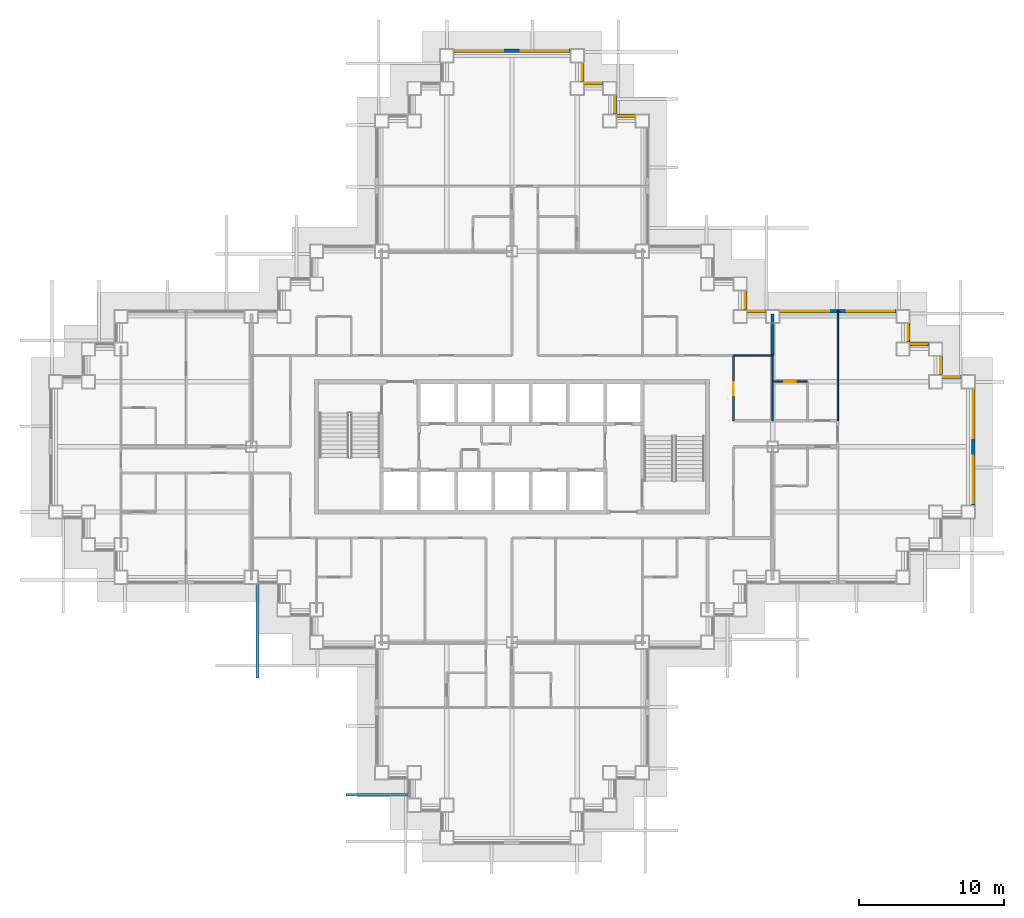
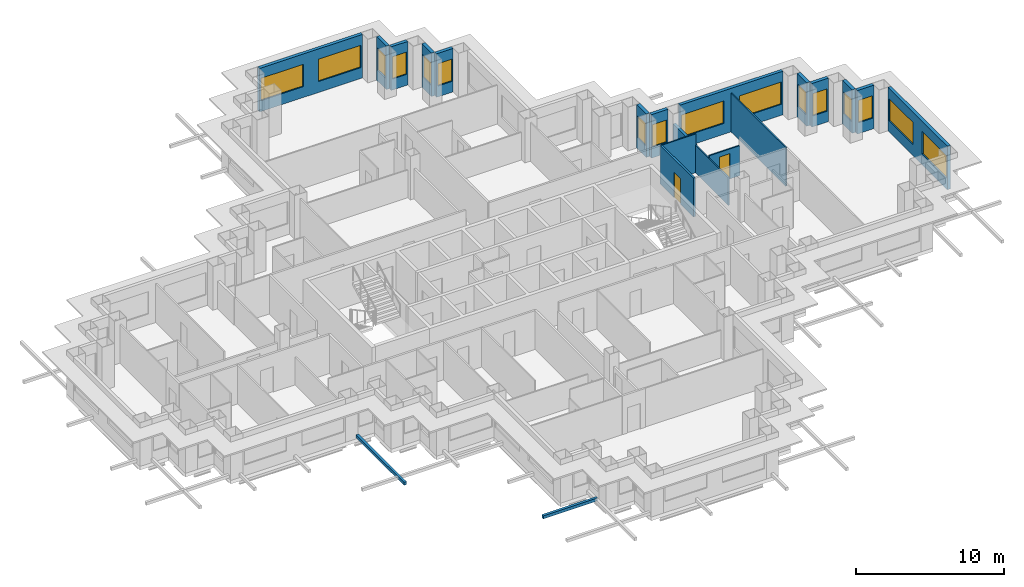
# One storey, part 9 of 15: 19 walls, 16 windows, 2 discrete accessories, 2 doors, 18 openings.
"""IFC4 building model written with IfcOpenShell, lengths in metres."""

from ifc_helpers import new_model, si_unit, direction, frame, frame_2d, origin, origin_2d, place, context, subcontext, project, spatial, rectangle, extrude, material, layer, layer_set, type_object, element, fill, save


model = new_model("IFC4")

# Units and contexts
model_context = context("Model", 3, precision=1e-05, world=origin(), true_north=direction((0.0, 1.0)))
body_context = subcontext(model_context, "Body", "Model", "MODEL_VIEW")
ifc_project = project(units=[si_unit("LENGTHUNIT", "METRE"), si_unit("AREAUNIT", "SQUARE_METRE"), si_unit("VOLUMEUNIT", "CUBIC_METRE"), si_unit("PLANEANGLEUNIT", "RADIAN"), si_unit("MASSUNIT", "GRAM", prefix="KILO")], contexts=[model_context])

# Site, building, storey
site_placement = place(None, origin())
site = spatial("IfcSite", under=ifc_project, at=site_placement, CompositionType="ELEMENT")
building_placement = place(site_placement, origin())
building = spatial("IfcBuilding", under=site, at=building_placement, Name="Caravel Reach Hotel and Residences", CompositionType="ELEMENT")
storey_placement = place(building_placement, frame((0.0, 0.0, 92.39990234375)))
storey = spatial("IfcBuildingStorey", under=building, at=storey_placement, Name="L22", CompositionType="ELEMENT", Elevation=92.39990234375)

# Wall, opening, door
ifc_material_1 = material(Name="Gypsum board on steel stud", Category="steel")
ifc_layer_1 = layer(ifc_material_1, 0.10009765625)
ifc_layer_set_1 = layer_set([ifc_layer_1], Name="Bathroom pod wall 100 mm")
wall_type_1 = type_object("IfcWallType", Name="Bathroom pod wall 100 mm", PredefinedType="PARTITIONING", material=ifc_layer_set_1)
wall_1_placement = place(storey_placement, frame((49.5, 31.5, 0.0), z_axis=(0.0, 0.0, 1.0), x_axis=(1.0, 0.0, 0.0)))
wall_1 = element("IfcWall", 1, at=wall_1_placement, inside=storey, type_object=wall_type_1, Name="L22 wall w078", PredefinedType="PARTITIONING", context=body_context, shape_type="SweptSolid", body=[
    extrude(rectangle(XDim=2.39990234375, YDim=0.10009765625, at=frame_2d((1.199951171875, 0.0))), origin(), (0.0, 0.0, 1.0), 2.47998046875),
])
opening_1_placement = place(wall_1_placement, frame((0.800048828125, 0.0, 0.0)))
opening_1 = element("IfcOpeningElement", 2, at=opening_1_placement, cuts=wall_1, Name="Opening D22-025", PredefinedType="OPENING", context=body_context, shape_type="SweptSolid", body=[
    extrude(rectangle(XDim=0.800048828125, YDim=2.10009765625, at=frame_2d((0.39990234375, 1.050048828125))), frame((0.0, 0.06005859375, 0.0), z_axis=(0.0, -1.0, 0.0), x_axis=(1.0, 0.0, 0.0)), (0.0, 0.0, 1.0), 0.1201171875),
])
ifc_material_2 = material(Name="Timber and steel door leaf", Category="steel")
door_type_1 = type_object("IfcDoorType", Name="Bathroom door 800 x 2100", OperationType="SINGLE_SWING_LEFT", PredefinedType="DOOR", material=ifc_material_2)
door_1_placement = place(opening_1_placement, origin())
door_1 = element("IfcDoor", 3, at=door_1_placement, inside=storey, type_object=door_type_1, Name="door D22-025", OperationType="SINGLE_SWING_LEFT", OverallHeight=2.10009765625, OverallWidth=0.800048828125, PredefinedType="DOOR", context=body_context, shape_type="SweptSolid", body=[
    extrude(rectangle(XDim=0.800048828125, YDim=2.10009765625, at=frame_2d((0.39990234375, 1.050048828125))), frame((0.0, 0.02490234375, 0.0), z_axis=(0.0, -1.0, 0.0), x_axis=(1.0, 0.0, 0.0)), (0.0, 0.0, 1.0), 0.050048828125),
])
fill(opening_1, door_1)

ifc_material_3 = material(Name="Gypsum board on steel stud, fire-rated", Category="steel")
ifc_layer_2 = layer(ifc_material_3, 0.14990234375)
ifc_layer_set_2 = layer_set([ifc_layer_2], Name="Corridor wall 150 mm EI 60")
wall_type_2 = type_object("IfcWallType", Name="Corridor wall 150 mm EI 60", PredefinedType="PARTITIONING", material=ifc_layer_set_2)
wall_2_placement = place(storey_placement, frame((46.800048828125, 28.800048828125, 0.0), z_axis=(0.0, 0.0, 1.0), x_axis=(0.0, 1.0, 0.0)))
wall_2 = element("IfcWall", 4, at=wall_2_placement, inside=storey, type_object=wall_type_2, Name="L22 wall w035", PredefinedType="PARTITIONING", context=body_context, shape_type="SweptSolid", body=[
    extrude(rectangle(XDim=4.5, YDim=0.14990234375, at=frame_2d((2.25, 0.0))), origin(), (0.0, 0.0, 1.0), 3.2001953125),
])
opening_2_placement = place(wall_2_placement, frame((1.75, 0.0, 0.0)))
opening_2 = element("IfcOpeningElement", 5, at=opening_2_placement, cuts=wall_2, Name="Opening D22-057", PredefinedType="OPENING", context=body_context, shape_type="SweptSolid", body=[
    extrude(rectangle(XDim=0.89990234375, YDim=2.10009765625, at=frame_2d((0.449951171875, 1.050048828125))), frame((0.0, 0.0849609375, 0.0), z_axis=(0.0, -1.0, 0.0), x_axis=(1.0, 0.0, 0.0)), (0.0, 0.0, 1.0), 0.169921875),
])
ifc_material_4 = material(Name="Timber and steel door leaf", Category="steel")
door_type_2 = type_object("IfcDoorType", Name="Door 900 x 2100 timber", OperationType="SINGLE_SWING_LEFT", PredefinedType="DOOR", material=ifc_material_4)
door_2_placement = place(opening_2_placement, origin())
door_2 = element("IfcDoor", 6, at=door_2_placement, inside=storey, type_object=door_type_2, Name="door D22-057", OperationType="SINGLE_SWING_LEFT", OverallHeight=2.10009765625, OverallWidth=0.89990234375, PredefinedType="DOOR", context=body_context, shape_type="SweptSolid", body=[
    extrude(rectangle(XDim=0.89990234375, YDim=2.10009765625, at=frame_2d((0.449951171875, 1.050048828125))), frame((0.0, 0.02490234375, 0.0), z_axis=(0.0, -1.0, 0.0), x_axis=(1.0, 0.0, 0.0)), (0.0, 0.0, 1.0), 0.050048828125),
])
fill(opening_2, door_2)

# Wall, openings, windows
ifc_material_5 = material(Name="Insulated rainscreen wall, aluminium cladding", Category="aluminium")
ifc_layer_3 = layer(ifc_material_5, 0.25)
ifc_layer_set_3 = layer_set([ifc_layer_3], Name="EW1 Tower rainscreen wall")
wall_type_3 = type_object("IfcWallType", Name="EW1 Tower rainscreen wall", PredefinedType="SOLIDWALL", material=ifc_layer_set_3)
wall_3_placement = place(storey_placement, frame((63.35009765625, 22.97509765625, 0.0), z_axis=(0.0, 0.0, 1.0), x_axis=(0.0, 1.0, 0.0)))
wall_3 = element("IfcWall", 7, at=wall_3_placement, inside=storey, type_object=wall_type_3, Name="External wall L22 E20.1", PredefinedType="SOLIDWALL", context=body_context, shape_type="SweptSolid", body=[
    extrude(rectangle(XDim=8.0498046875, YDim=0.25, at=frame_2d((4.02490234375, 0.0))), origin(), (0.0, 0.0, 1.0), 3.60009765625),
])
opening_3_placement = place(wall_3_placement, frame((0.125, 0.0, 0.89990234375)))
opening_3 = element("IfcOpeningElement", 8, at=opening_3_placement, cuts=wall_3, Name="Opening WN7", PredefinedType="OPENING", context=body_context, shape_type="SweptSolid", body=[
    extrude(rectangle(XDim=3.300048828125, YDim=1.85009765625, at=frame_2d((1.64990234375, 0.925048828125))), frame((0.0, 0.135009765625, 0.0), z_axis=(0.0, -1.0, 0.0), x_axis=(1.0, 0.0, 0.0)), (0.0, 0.0, 1.0), 0.27001953125),
])
opening_4_placement = place(wall_3_placement, frame((4.625, 0.0, 0.89990234375)))
opening_4 = element("IfcOpeningElement", 9, at=opening_4_placement, cuts=wall_3, Name="Opening WN7", PredefinedType="OPENING", context=body_context, shape_type="SweptSolid", body=[
    extrude(rectangle(XDim=3.300048828125, YDim=1.85009765625, at=frame_2d((1.64990234375, 0.925048828125))), frame((0.0, 0.135009765625, 0.0), z_axis=(0.0, -1.0, 0.0), x_axis=(1.0, 0.0, 0.0)), (0.0, 0.0, 1.0), 0.27001953125),
])
ifc_material_6 = material(Name="Dark low-e glazing in black aluminium frame", Category="aluminium")
window_type_1 = type_object("IfcWindowType", Name="Hotel guest room window 3300 x 1850", PartitioningType="SINGLE_PANEL", PredefinedType="WINDOW", material=ifc_material_6)
window_1_placement = place(opening_3_placement, origin())
window_1 = element("IfcWindow", 10, at=window_1_placement, inside=storey, type_object=window_type_1, Name="Window L22 E20.1.1", OverallHeight=1.85009765625, OverallWidth=3.300048828125, PartitioningType="SINGLE_PANEL", PredefinedType="WINDOW", context=body_context, shape_type="SweptSolid", body=[
    extrude(rectangle(XDim=3.300048828125, YDim=1.85009765625, at=frame_2d((1.64990234375, 0.925048828125))), frame((0.0, 0.030029296875, 0.0), z_axis=(0.0, -1.0, 0.0), x_axis=(1.0, 0.0, 0.0)), (0.0, 0.0, 1.0), 0.06005859375),
])
fill(opening_3, window_1)
window_2_placement = place(opening_4_placement, origin())
window_2 = element("IfcWindow", 11, at=window_2_placement, inside=storey, type_object=window_type_1, Name="Window L22 E20.1.2", OverallHeight=1.85009765625, OverallWidth=3.300048828125, PartitioningType="SINGLE_PANEL", PredefinedType="WINDOW", context=body_context, shape_type="SweptSolid", body=[
    extrude(rectangle(XDim=3.300048828125, YDim=1.85009765625, at=frame_2d((1.64990234375, 0.925048828125))), frame((0.0, 0.030029296875, 0.0), z_axis=(0.0, -1.0, 0.0), x_axis=(1.0, 0.0, 0.0)), (0.0, 0.0, 1.0), 0.06005859375),
])
fill(opening_4, window_2)

# Wall, opening, window
wall_4_placement = place(storey_placement, frame((62.52490234375, 31.85009765625, 0.0), z_axis=(0.0, 0.0, 1.0), x_axis=(-1.0, 0.0, 0.0)))
wall_4 = element("IfcWall", 12, at=wall_4_placement, inside=storey, type_object=wall_type_3, Name="External wall L22 N21.1", PredefinedType="SOLIDWALL", context=body_context, shape_type="SweptSolid", body=[
    extrude(rectangle(XDim=1.2998046875, YDim=0.25, at=frame_2d((0.64990234375, 0.0))), origin(), (0.0, 0.0, 1.0), 3.60009765625),
])
opening_5_placement = place(wall_4_placement, frame((0.10009765625, 0.0, 0.89990234375)))
opening_5 = element("IfcOpeningElement", 13, at=opening_5_placement, cuts=wall_4, Name="Opening WN6", PredefinedType="OPENING", context=body_context, shape_type="SweptSolid", body=[
    extrude(rectangle(XDim=1.10009765625, YDim=1.85009765625, at=frame_2d((0.550048828125, 0.925048828125))), frame((0.0, 0.135009765625, 0.0), z_axis=(0.0, -1.0, 0.0), x_axis=(1.0, 0.0, 0.0)), (0.0, 0.0, 1.0), 0.27001953125),
])
ifc_material_7 = material(Name="Dark low-e glazing in black aluminium frame", Category="aluminium")
window_type_2 = type_object("IfcWindowType", Name="Hotel suite corner window 1100 x 1850", PartitioningType="SINGLE_PANEL", PredefinedType="WINDOW", material=ifc_material_7)
window_3_placement = place(opening_5_placement, origin())
window_3 = element("IfcWindow", 14, at=window_3_placement, inside=storey, type_object=window_type_2, Name="Window L22 N21.1.1", OverallHeight=1.85009765625, OverallWidth=1.10009765625, PartitioningType="SINGLE_PANEL", PredefinedType="WINDOW", context=body_context, shape_type="SweptSolid", body=[
    extrude(rectangle(XDim=1.10009765625, YDim=1.85009765625, at=frame_2d((0.550048828125, 0.925048828125))), frame((0.0, 0.030029296875, 0.0), z_axis=(0.0, -1.0, 0.0), x_axis=(1.0, 0.0, 0.0)), (0.0, 0.0, 1.0), 0.06005859375),
])
fill(opening_5, window_3)

wall_5_placement = place(storey_placement, frame((61.10009765625, 31.97509765625, 0.0), z_axis=(0.0, 0.0, 1.0), x_axis=(0.0, 1.0, 0.0)))
wall_5 = element("IfcWall", 15, at=wall_5_placement, inside=storey, type_object=wall_type_3, Name="External wall L22 E22.1", PredefinedType="SOLIDWALL", context=body_context, shape_type="SweptSolid", body=[
    extrude(rectangle(XDim=1.2998046875, YDim=0.25, at=frame_2d((0.64990234375, 0.0))), origin(), (0.0, 0.0, 1.0), 3.60009765625),
])
opening_6_placement = place(wall_5_placement, frame((0.10009765625, 0.0, 0.89990234375)))
opening_6 = element("IfcOpeningElement", 16, at=opening_6_placement, cuts=wall_5, Name="Opening WN6", PredefinedType="OPENING", context=body_context, shape_type="SweptSolid", body=[
    extrude(rectangle(XDim=1.10009765625, YDim=1.85009765625, at=frame_2d((0.550048828125, 0.925048828125))), frame((0.0, 0.135009765625, 0.0), z_axis=(0.0, -1.0, 0.0), x_axis=(1.0, 0.0, 0.0)), (0.0, 0.0, 1.0), 0.27001953125),
])
window_4_placement = place(opening_6_placement, origin())
window_4 = element("IfcWindow", 17, at=window_4_placement, inside=storey, type_object=window_type_2, Name="Window L22 E22.1.1", OverallHeight=1.85009765625, OverallWidth=1.10009765625, PartitioningType="SINGLE_PANEL", PredefinedType="WINDOW", context=body_context, shape_type="SweptSolid", body=[
    extrude(rectangle(XDim=1.10009765625, YDim=1.85009765625, at=frame_2d((0.550048828125, 0.925048828125))), frame((0.0, 0.030029296875, 0.0), z_axis=(0.0, -1.0, 0.0), x_axis=(1.0, 0.0, 0.0)), (0.0, 0.0, 1.0), 0.06005859375),
])
fill(opening_6, window_4)

wall_6_placement = place(storey_placement, frame((60.27490234375, 34.10009765625, 0.0), z_axis=(0.0, 0.0, 1.0), x_axis=(-1.0, 0.0, 0.0)))
wall_6 = element("IfcWall", 18, at=wall_6_placement, inside=storey, type_object=wall_type_3, Name="External wall L22 N23.1", PredefinedType="SOLIDWALL", context=body_context, shape_type="SweptSolid", body=[
    extrude(rectangle(XDim=1.2998046875, YDim=0.25, at=frame_2d((0.64990234375, 0.0))), origin(), (0.0, 0.0, 1.0), 3.60009765625),
])
opening_7_placement = place(wall_6_placement, frame((0.10009765625, 0.0, 0.89990234375)))
opening_7 = element("IfcOpeningElement", 19, at=opening_7_placement, cuts=wall_6, Name="Opening WN6", PredefinedType="OPENING", context=body_context, shape_type="SweptSolid", body=[
    extrude(rectangle(XDim=1.10009765625, YDim=1.85009765625, at=frame_2d((0.550048828125, 0.925048828125))), frame((0.0, 0.135009765625, 0.0), z_axis=(0.0, -1.0, 0.0), x_axis=(1.0, 0.0, 0.0)), (0.0, 0.0, 1.0), 0.27001953125),
])
window_5_placement = place(opening_7_placement, origin())
window_5 = element("IfcWindow", 20, at=window_5_placement, inside=storey, type_object=window_type_2, Name="Window L22 N23.1.1", OverallHeight=1.85009765625, OverallWidth=1.10009765625, PartitioningType="SINGLE_PANEL", PredefinedType="WINDOW", context=body_context, shape_type="SweptSolid", body=[
    extrude(rectangle(XDim=1.10009765625, YDim=1.85009765625, at=frame_2d((0.550048828125, 0.925048828125))), frame((0.0, 0.030029296875, 0.0), z_axis=(0.0, -1.0, 0.0), x_axis=(1.0, 0.0, 0.0)), (0.0, 0.0, 1.0), 0.06005859375),
])
fill(opening_7, window_5)

wall_7_placement = place(storey_placement, frame((58.85009765625, 34.22509765625, 0.0), z_axis=(0.0, 0.0, 1.0), x_axis=(0.0, 1.0, 0.0)))
wall_7 = element("IfcWall", 21, at=wall_7_placement, inside=storey, type_object=wall_type_3, Name="External wall L22 E24.1", PredefinedType="SOLIDWALL", context=body_context, shape_type="SweptSolid", body=[
    extrude(rectangle(XDim=1.2998046875, YDim=0.25, at=frame_2d((0.64990234375, 0.0))), origin(), (0.0, 0.0, 1.0), 3.60009765625),
])
opening_8_placement = place(wall_7_placement, frame((0.10009765625, 0.0, 0.89990234375)))
opening_8 = element("IfcOpeningElement", 22, at=opening_8_placement, cuts=wall_7, Name="Opening WN6", PredefinedType="OPENING", context=body_context, shape_type="SweptSolid", body=[
    extrude(rectangle(XDim=1.10009765625, YDim=1.85009765625, at=frame_2d((0.550048828125, 0.925048828125))), frame((0.0, 0.135009765625, 0.0), z_axis=(0.0, -1.0, 0.0), x_axis=(1.0, 0.0, 0.0)), (0.0, 0.0, 1.0), 0.27001953125),
])
window_6_placement = place(opening_8_placement, origin())
window_6 = element("IfcWindow", 23, at=window_6_placement, inside=storey, type_object=window_type_2, Name="Window L22 E24.1.1", OverallHeight=1.85009765625, OverallWidth=1.10009765625, PartitioningType="SINGLE_PANEL", PredefinedType="WINDOW", context=body_context, shape_type="SweptSolid", body=[
    extrude(rectangle(XDim=1.10009765625, YDim=1.85009765625, at=frame_2d((0.550048828125, 0.925048828125))), frame((0.0, 0.030029296875, 0.0), z_axis=(0.0, -1.0, 0.0), x_axis=(1.0, 0.0, 0.0)), (0.0, 0.0, 1.0), 0.06005859375),
])
fill(opening_8, window_6)

# Wall, openings, windows
wall_8_placement = place(storey_placement, frame((58.02490234375, 36.35009765625, 0.0), z_axis=(0.0, 0.0, 1.0), x_axis=(-1.0, 0.0, 0.0)))
wall_8 = element("IfcWall", 24, at=wall_8_placement, inside=storey, type_object=wall_type_3, Name="External wall L22 N25.1", PredefinedType="SOLIDWALL", context=body_context, shape_type="SweptSolid", body=[
    extrude(rectangle(XDim=8.0498046875, YDim=0.25, at=frame_2d((4.02490234375, 0.0))), origin(), (0.0, 0.0, 1.0), 3.60009765625),
])
opening_9_placement = place(wall_8_placement, frame((0.125, 0.0, 0.89990234375)))
opening_9 = element("IfcOpeningElement", 25, at=opening_9_placement, cuts=wall_8, Name="Opening WN7", PredefinedType="OPENING", context=body_context, shape_type="SweptSolid", body=[
    extrude(rectangle(XDim=3.300048828125, YDim=1.85009765625, at=frame_2d((1.64990234375, 0.925048828125))), frame((0.0, 0.135009765625, 0.0), z_axis=(0.0, -1.0, 0.0), x_axis=(1.0, 0.0, 0.0)), (0.0, 0.0, 1.0), 0.27001953125),
])
opening_10_placement = place(wall_8_placement, frame((4.625, 0.0, 0.89990234375)))
opening_10 = element("IfcOpeningElement", 26, at=opening_10_placement, cuts=wall_8, Name="Opening WN7", PredefinedType="OPENING", context=body_context, shape_type="SweptSolid", body=[
    extrude(rectangle(XDim=3.300048828125, YDim=1.85009765625, at=frame_2d((1.64990234375, 0.925048828125))), frame((0.0, 0.135009765625, 0.0), z_axis=(0.0, -1.0, 0.0), x_axis=(1.0, 0.0, 0.0)), (0.0, 0.0, 1.0), 0.27001953125),
])
window_7_placement = place(opening_9_placement, origin())
window_7 = element("IfcWindow", 27, at=window_7_placement, inside=storey, type_object=window_type_1, Name="Window L22 N25.1.1", OverallHeight=1.85009765625, OverallWidth=3.300048828125, PartitioningType="SINGLE_PANEL", PredefinedType="WINDOW", context=body_context, shape_type="SweptSolid", body=[
    extrude(rectangle(XDim=3.300048828125, YDim=1.85009765625, at=frame_2d((1.64990234375, 0.925048828125))), frame((0.0, 0.030029296875, 0.0), z_axis=(0.0, -1.0, 0.0), x_axis=(1.0, 0.0, 0.0)), (0.0, 0.0, 1.0), 0.06005859375),
])
fill(opening_9, window_7)
window_8_placement = place(opening_10_placement, origin())
window_8 = element("IfcWindow", 28, at=window_8_placement, inside=storey, type_object=window_type_1, Name="Window L22 N25.1.2", OverallHeight=1.85009765625, OverallWidth=3.300048828125, PartitioningType="SINGLE_PANEL", PredefinedType="WINDOW", context=body_context, shape_type="SweptSolid", body=[
    extrude(rectangle(XDim=3.300048828125, YDim=1.85009765625, at=frame_2d((1.64990234375, 0.925048828125))), frame((0.0, 0.030029296875, 0.0), z_axis=(0.0, -1.0, 0.0), x_axis=(1.0, 0.0, 0.0)), (0.0, 0.0, 1.0), 0.06005859375),
])
fill(opening_10, window_8)

# Wall, opening, window
wall_9_placement = place(storey_placement, frame((49.02490234375, 36.35009765625, 0.0), z_axis=(0.0, 0.0, 1.0), x_axis=(-1.0, 0.0, 0.0)))
wall_9 = element("IfcWall", 29, at=wall_9_placement, inside=storey, type_object=wall_type_3, Name="External wall L22 N25.2", PredefinedType="SOLIDWALL", context=body_context, shape_type="SweptSolid", body=[
    extrude(rectangle(XDim=1.2998046875, YDim=0.25, at=frame_2d((0.64990234375, 0.0))), origin(), (0.0, 0.0, 1.0), 3.60009765625),
])
opening_11_placement = place(wall_9_placement, frame((0.10009765625, 0.0, 0.89990234375)))
opening_11 = element("IfcOpeningElement", 30, at=opening_11_placement, cuts=wall_9, Name="Opening WN6", PredefinedType="OPENING", context=body_context, shape_type="SweptSolid", body=[
    extrude(rectangle(XDim=1.10009765625, YDim=1.85009765625, at=frame_2d((0.550048828125, 0.925048828125))), frame((0.0, 0.135009765625, 0.0), z_axis=(0.0, -1.0, 0.0), x_axis=(1.0, 0.0, 0.0)), (0.0, 0.0, 1.0), 0.27001953125),
])
window_9_placement = place(opening_11_placement, origin())
window_9 = element("IfcWindow", 31, at=window_9_placement, inside=storey, type_object=window_type_2, Name="Window L22 N25.2.1", OverallHeight=1.85009765625, OverallWidth=1.10009765625, PartitioningType="SINGLE_PANEL", PredefinedType="WINDOW", context=body_context, shape_type="SweptSolid", body=[
    extrude(rectangle(XDim=1.10009765625, YDim=1.85009765625, at=frame_2d((0.550048828125, 0.925048828125))), frame((0.0, 0.030029296875, 0.0), z_axis=(0.0, -1.0, 0.0), x_axis=(1.0, 0.0, 0.0)), (0.0, 0.0, 1.0), 0.06005859375),
])
fill(opening_11, window_9)

wall_10_placement = place(storey_placement, frame((47.60009765625, 36.47509765625, 0.0), z_axis=(0.0, 0.0, 1.0), x_axis=(0.0, 1.0, 0.0)))
wall_10 = element("IfcWall", 32, at=wall_10_placement, inside=storey, type_object=wall_type_3, Name="External wall L22 E26.1", PredefinedType="SOLIDWALL", context=body_context, shape_type="SweptSolid", body=[
    extrude(rectangle(XDim=1.2998046875, YDim=0.25, at=frame_2d((0.64990234375, 0.0))), origin(), (0.0, 0.0, 1.0), 3.60009765625),
])
opening_12_placement = place(wall_10_placement, frame((0.10009765625, 0.0, 0.89990234375)))
opening_12 = element("IfcOpeningElement", 33, at=opening_12_placement, cuts=wall_10, Name="Opening WN6", PredefinedType="OPENING", context=body_context, shape_type="SweptSolid", body=[
    extrude(rectangle(XDim=1.10009765625, YDim=1.85009765625, at=frame_2d((0.550048828125, 0.925048828125))), frame((0.0, 0.135009765625, 0.0), z_axis=(0.0, -1.0, 0.0), x_axis=(1.0, 0.0, 0.0)), (0.0, 0.0, 1.0), 0.27001953125),
])
window_10_placement = place(opening_12_placement, origin())
window_10 = element("IfcWindow", 34, at=window_10_placement, inside=storey, type_object=window_type_2, Name="Window L22 E26.1.1", OverallHeight=1.85009765625, OverallWidth=1.10009765625, PartitioningType="SINGLE_PANEL", PredefinedType="WINDOW", context=body_context, shape_type="SweptSolid", body=[
    extrude(rectangle(XDim=1.10009765625, YDim=1.85009765625, at=frame_2d((0.550048828125, 0.925048828125))), frame((0.0, 0.030029296875, 0.0), z_axis=(0.0, -1.0, 0.0), x_axis=(1.0, 0.0, 0.0)), (0.0, 0.0, 1.0), 0.06005859375),
])
fill(opening_12, window_10)

wall_11_placement = place(storey_placement, frame((40.02490234375, 49.85009765625, 0.0), z_axis=(0.0, 0.0, 1.0), x_axis=(-1.0, 0.0, 0.0)))
wall_11 = element("IfcWall", 35, at=wall_11_placement, inside=storey, type_object=wall_type_3, Name="External wall L22 N31.1", PredefinedType="SOLIDWALL", context=body_context, shape_type="SweptSolid", body=[
    extrude(rectangle(XDim=1.2998046875, YDim=0.25, at=frame_2d((0.64990234375, 0.0))), origin(), (0.0, 0.0, 1.0), 3.60009765625),
])
opening_13_placement = place(wall_11_placement, frame((0.10009765625, 0.0, 0.89990234375)))
opening_13 = element("IfcOpeningElement", 36, at=opening_13_placement, cuts=wall_11, Name="Opening WN6", PredefinedType="OPENING", context=body_context, shape_type="SweptSolid", body=[
    extrude(rectangle(XDim=1.10009765625, YDim=1.85009765625, at=frame_2d((0.550048828125, 0.925048828125))), frame((0.0, 0.135009765625, 0.0), z_axis=(0.0, -1.0, 0.0), x_axis=(1.0, 0.0, 0.0)), (0.0, 0.0, 1.0), 0.27001953125),
])
window_11_placement = place(opening_13_placement, origin())
window_11 = element("IfcWindow", 37, at=window_11_placement, inside=storey, type_object=window_type_2, Name="Window L22 N31.1.1", OverallHeight=1.85009765625, OverallWidth=1.10009765625, PartitioningType="SINGLE_PANEL", PredefinedType="WINDOW", context=body_context, shape_type="SweptSolid", body=[
    extrude(rectangle(XDim=1.10009765625, YDim=1.85009765625, at=frame_2d((0.550048828125, 0.925048828125))), frame((0.0, 0.030029296875, 0.0), z_axis=(0.0, -1.0, 0.0), x_axis=(1.0, 0.0, 0.0)), (0.0, 0.0, 1.0), 0.06005859375),
])
fill(opening_13, window_11)

wall_12_placement = place(storey_placement, frame((38.60009765625, 49.97509765625, 0.0), z_axis=(0.0, 0.0, 1.0), x_axis=(0.0, 1.0, 0.0)))
wall_12 = element("IfcWall", 38, at=wall_12_placement, inside=storey, type_object=wall_type_3, Name="External wall L22 E32.1", PredefinedType="SOLIDWALL", context=body_context, shape_type="SweptSolid", body=[
    extrude(rectangle(XDim=1.2998046875, YDim=0.25, at=frame_2d((0.64990234375, 0.0))), origin(), (0.0, 0.0, 1.0), 3.60009765625),
])
opening_14_placement = place(wall_12_placement, frame((0.10009765625, 0.0, 0.89990234375)))
opening_14 = element("IfcOpeningElement", 39, at=opening_14_placement, cuts=wall_12, Name="Opening WN6", PredefinedType="OPENING", context=body_context, shape_type="SweptSolid", body=[
    extrude(rectangle(XDim=1.10009765625, YDim=1.85009765625, at=frame_2d((0.550048828125, 0.925048828125))), frame((0.0, 0.135009765625, 0.0), z_axis=(0.0, -1.0, 0.0), x_axis=(1.0, 0.0, 0.0)), (0.0, 0.0, 1.0), 0.27001953125),
])
window_12_placement = place(opening_14_placement, origin())
window_12 = element("IfcWindow", 40, at=window_12_placement, inside=storey, type_object=window_type_2, Name="Window L22 E32.1.1", OverallHeight=1.85009765625, OverallWidth=1.10009765625, PartitioningType="SINGLE_PANEL", PredefinedType="WINDOW", context=body_context, shape_type="SweptSolid", body=[
    extrude(rectangle(XDim=1.10009765625, YDim=1.85009765625, at=frame_2d((0.550048828125, 0.925048828125))), frame((0.0, 0.030029296875, 0.0), z_axis=(0.0, -1.0, 0.0), x_axis=(1.0, 0.0, 0.0)), (0.0, 0.0, 1.0), 0.06005859375),
])
fill(opening_14, window_12)

wall_13_placement = place(storey_placement, frame((37.77490234375, 52.10009765625, 0.0), z_axis=(0.0, 0.0, 1.0), x_axis=(-1.0, 0.0, 0.0)))
wall_13 = element("IfcWall", 41, at=wall_13_placement, inside=storey, type_object=wall_type_3, Name="External wall L22 N33.1", PredefinedType="SOLIDWALL", context=body_context, shape_type="SweptSolid", body=[
    extrude(rectangle(XDim=1.2998046875, YDim=0.25, at=frame_2d((0.64990234375, 0.0))), origin(), (0.0, 0.0, 1.0), 3.60009765625),
])
opening_15_placement = place(wall_13_placement, frame((0.10009765625, 0.0, 0.89990234375)))
opening_15 = element("IfcOpeningElement", 42, at=opening_15_placement, cuts=wall_13, Name="Opening WN6", PredefinedType="OPENING", context=body_context, shape_type="SweptSolid", body=[
    extrude(rectangle(XDim=1.10009765625, YDim=1.85009765625, at=frame_2d((0.550048828125, 0.925048828125))), frame((0.0, 0.135009765625, 0.0), z_axis=(0.0, -1.0, 0.0), x_axis=(1.0, 0.0, 0.0)), (0.0, 0.0, 1.0), 0.27001953125),
])
window_13_placement = place(opening_15_placement, origin())
window_13 = element("IfcWindow", 43, at=window_13_placement, inside=storey, type_object=window_type_2, Name="Window L22 N33.1.1", OverallHeight=1.85009765625, OverallWidth=1.10009765625, PartitioningType="SINGLE_PANEL", PredefinedType="WINDOW", context=body_context, shape_type="SweptSolid", body=[
    extrude(rectangle(XDim=1.10009765625, YDim=1.85009765625, at=frame_2d((0.550048828125, 0.925048828125))), frame((0.0, 0.030029296875, 0.0), z_axis=(0.0, -1.0, 0.0), x_axis=(1.0, 0.0, 0.0)), (0.0, 0.0, 1.0), 0.06005859375),
])
fill(opening_15, window_13)

wall_14_placement = place(storey_placement, frame((36.35009765625, 52.22509765625, 0.0), z_axis=(0.0, 0.0, 1.0), x_axis=(0.0, 1.0, 0.0)))
wall_14 = element("IfcWall", 44, at=wall_14_placement, inside=storey, type_object=wall_type_3, Name="External wall L22 E34.1", PredefinedType="SOLIDWALL", context=body_context, shape_type="SweptSolid", body=[
    extrude(rectangle(XDim=1.2998046875, YDim=0.25, at=frame_2d((0.64990234375, 0.0))), origin(), (0.0, 0.0, 1.0), 3.60009765625),
])
opening_16_placement = place(wall_14_placement, frame((0.10009765625, 0.0, 0.89990234375)))
opening_16 = element("IfcOpeningElement", 45, at=opening_16_placement, cuts=wall_14, Name="Opening WN6", PredefinedType="OPENING", context=body_context, shape_type="SweptSolid", body=[
    extrude(rectangle(XDim=1.10009765625, YDim=1.85009765625, at=frame_2d((0.550048828125, 0.925048828125))), frame((0.0, 0.135009765625, 0.0), z_axis=(0.0, -1.0, 0.0), x_axis=(1.0, 0.0, 0.0)), (0.0, 0.0, 1.0), 0.27001953125),
])
window_14_placement = place(opening_16_placement, origin())
window_14 = element("IfcWindow", 46, at=window_14_placement, inside=storey, type_object=window_type_2, Name="Window L22 E34.1.1", OverallHeight=1.85009765625, OverallWidth=1.10009765625, PartitioningType="SINGLE_PANEL", PredefinedType="WINDOW", context=body_context, shape_type="SweptSolid", body=[
    extrude(rectangle(XDim=1.10009765625, YDim=1.85009765625, at=frame_2d((0.550048828125, 0.925048828125))), frame((0.0, 0.030029296875, 0.0), z_axis=(0.0, -1.0, 0.0), x_axis=(1.0, 0.0, 0.0)), (0.0, 0.0, 1.0), 0.06005859375),
])
fill(opening_16, window_14)

# Wall, openings, windows
wall_15_placement = place(storey_placement, frame((35.52490234375, 54.35009765625, 0.0), z_axis=(0.0, 0.0, 1.0), x_axis=(-1.0, 0.0, 0.0)))
wall_15 = element("IfcWall", 47, at=wall_15_placement, inside=storey, type_object=wall_type_3, Name="External wall L22 N35.1", PredefinedType="SOLIDWALL", context=body_context, shape_type="SweptSolid", body=[
    extrude(rectangle(XDim=8.0498046875, YDim=0.25, at=frame_2d((4.02490234375, 0.0))), origin(), (0.0, 0.0, 1.0), 3.60009765625),
])
opening_17_placement = place(wall_15_placement, frame((0.125, 0.0, 0.89990234375)))
opening_17 = element("IfcOpeningElement", 48, at=opening_17_placement, cuts=wall_15, Name="Opening WN7", PredefinedType="OPENING", context=body_context, shape_type="SweptSolid", body=[
    extrude(rectangle(XDim=3.300048828125, YDim=1.85009765625, at=frame_2d((1.64990234375, 0.925048828125))), frame((0.0, 0.135009765625, 0.0), z_axis=(0.0, -1.0, 0.0), x_axis=(1.0, 0.0, 0.0)), (0.0, 0.0, 1.0), 0.27001953125),
])
opening_18_placement = place(wall_15_placement, frame((4.625, 0.0, 0.89990234375)))
opening_18 = element("IfcOpeningElement", 49, at=opening_18_placement, cuts=wall_15, Name="Opening WN7", PredefinedType="OPENING", context=body_context, shape_type="SweptSolid", body=[
    extrude(rectangle(XDim=3.300048828125, YDim=1.85009765625, at=frame_2d((1.64990234375, 0.925048828125))), frame((0.0, 0.135009765625, 0.0), z_axis=(0.0, -1.0, 0.0), x_axis=(1.0, 0.0, 0.0)), (0.0, 0.0, 1.0), 0.27001953125),
])
window_15_placement = place(opening_17_placement, origin())
window_15 = element("IfcWindow", 50, at=window_15_placement, inside=storey, type_object=window_type_1, Name="Window L22 N35.1.1", OverallHeight=1.85009765625, OverallWidth=3.300048828125, PartitioningType="SINGLE_PANEL", PredefinedType="WINDOW", context=body_context, shape_type="SweptSolid", body=[
    extrude(rectangle(XDim=3.300048828125, YDim=1.85009765625, at=frame_2d((1.64990234375, 0.925048828125))), frame((0.0, 0.030029296875, 0.0), z_axis=(0.0, -1.0, 0.0), x_axis=(1.0, 0.0, 0.0)), (0.0, 0.0, 1.0), 0.06005859375),
])
fill(opening_17, window_15)
window_16_placement = place(opening_18_placement, origin())
window_16 = element("IfcWindow", 51, at=window_16_placement, inside=storey, type_object=window_type_1, Name="Window L22 N35.1.2", OverallHeight=1.85009765625, OverallWidth=3.300048828125, PartitioningType="SINGLE_PANEL", PredefinedType="WINDOW", context=body_context, shape_type="SweptSolid", body=[
    extrude(rectangle(XDim=3.300048828125, YDim=1.85009765625, at=frame_2d((1.64990234375, 0.925048828125))), frame((0.0, 0.030029296875, 0.0), z_axis=(0.0, -1.0, 0.0), x_axis=(1.0, 0.0, 0.0)), (0.0, 0.0, 1.0), 0.06005859375),
])
fill(opening_18, window_16)

# Walls
ifc_material_8 = material(Name="Gypsum board on steel stud", Category="steel")
ifc_layer_4 = layer(ifc_material_8, 0.10009765625)
ifc_layer_set_4 = layer_set([ifc_layer_4], Name="Partition 100 mm")
wall_type_4 = type_object("IfcWallType", Name="Partition 100 mm", PredefinedType="PARTITIONING", material=ifc_layer_set_4)
wall_16_placement = place(storey_placement, frame((46.800048828125, 33.300048828125, 0.0), z_axis=(0.0, 0.0, 1.0), x_axis=(1.0, 0.0, 0.0)))
element("IfcWall", 52, at=wall_16_placement, inside=storey, type_object=wall_type_4, Name="L22 wall w044", PredefinedType="PARTITIONING", context=body_context, shape_type="SweptSolid", body=[
    extrude(rectangle(XDim=2.699951171875, YDim=0.10009765625, at=frame_2d((1.35009765625, 0.0))), origin(), (0.0, 0.0, 1.0), 3.2001953125),
])
wall_17_placement = place(storey_placement, frame((49.5, 28.800048828125, 0.0), z_axis=(0.0, 0.0, 1.0), x_axis=(0.0, 1.0, 0.0)))
element("IfcWall", 53, at=wall_17_placement, inside=storey, type_object=wall_type_4, Name="L22 wall w063", PredefinedType="PARTITIONING", context=body_context, shape_type="SweptSolid", body=[
    extrude(rectangle(XDim=4.5, YDim=0.10009765625, at=frame_2d((2.25, 0.0))), origin(), (0.0, 0.0, 1.0), 2.280029296875),
])
wall_18_placement = place(storey_placement, frame((54.0, 28.800048828125, 0.0), z_axis=(0.0, 0.0, 1.0), x_axis=(0.0, 1.0, 0.0)))
element("IfcWall", 54, at=wall_18_placement, inside=storey, type_object=wall_type_4, Name="L22 wall w065", PredefinedType="PARTITIONING", context=body_context, shape_type="SweptSolid", body=[
    extrude(rectangle(XDim=7.614990234375, YDim=0.10009765625, at=frame_2d((3.8076171875, 0.0))), origin(), (0.0, 0.0, 1.0), 3.2001953125),
])
ifc_material_9 = material(Name="Autoclaved aerated block wall")
ifc_layer_5 = layer(ifc_material_9, 0.199951171875)
ifc_layer_set_5 = layer_set([ifc_layer_5], Name="Party wall 200 mm EI 60")
wall_type_5 = type_object("IfcWallType", Name="Party wall 200 mm EI 60", PredefinedType="PARTITIONING", material=ifc_layer_set_5)
wall_19_placement = place(storey_placement, frame((49.5, 33.300048828125, 0.0), z_axis=(0.0, 0.0, 1.0), x_axis=(0.0, 1.0, 0.0)))
element("IfcWall", 55, at=wall_19_placement, inside=storey, type_object=wall_type_5, Name="L22 wall w070", PredefinedType="PARTITIONING", context=body_context, shape_type="SweptSolid", body=[
    extrude(rectangle(XDim=2.889892578125, YDim=0.199951171875, at=frame_2d((1.44482421875, 0.0))), origin(), (0.0, 0.0, 1.0), 2.280029296875),
])

# Discrete accessories
ifc_material_10 = material(Name="Black powder-coated aluminium", Category="aluminium")
discrete_accessory_type = type_object("IfcDiscreteAccessoryType", Name="BR1 Screen bracket", PredefinedType="BRACKET", material=ifc_material_10)
discrete_accessory_1_placement = place(storey_placement, frame((22.14990234375, 2.978271484375, 0.10009765625), z_axis=(0.0, 0.0, 1.0), x_axis=(-1.0, 0.0, 0.0)))
element("IfcDiscreteAccessory", 56, at=discrete_accessory_1_placement, inside=storey, type_object=discrete_accessory_type, Name="Screen bracket L22 1.2.2", PredefinedType="BRACKET", context=body_context, shape_type="SweptSolid", body=[
    extrude(rectangle(XDim=4.25, YDim=0.199951171875, at=origin_2d()), origin(), (0.0, 0.0, 1.0), 0.25),
])
discrete_accessory_2_placement = place(storey_placement, frame((13.929931640625, 14.27490234375, 0.10009765625), z_axis=(0.0, 0.0, 1.0), x_axis=(0.0, -1.0, 0.0)))
element("IfcDiscreteAccessory", 57, at=discrete_accessory_2_placement, inside=storey, type_object=discrete_accessory_type, Name="Screen bracket L22 20.1.2", PredefinedType="BRACKET", context=body_context, shape_type="SweptSolid", body=[
    extrude(rectangle(XDim=6.5, YDim=0.199951171875, at=origin_2d()), origin(), (0.0, 0.0, 1.0), 0.25),
])

save(model, "model.ifc")
